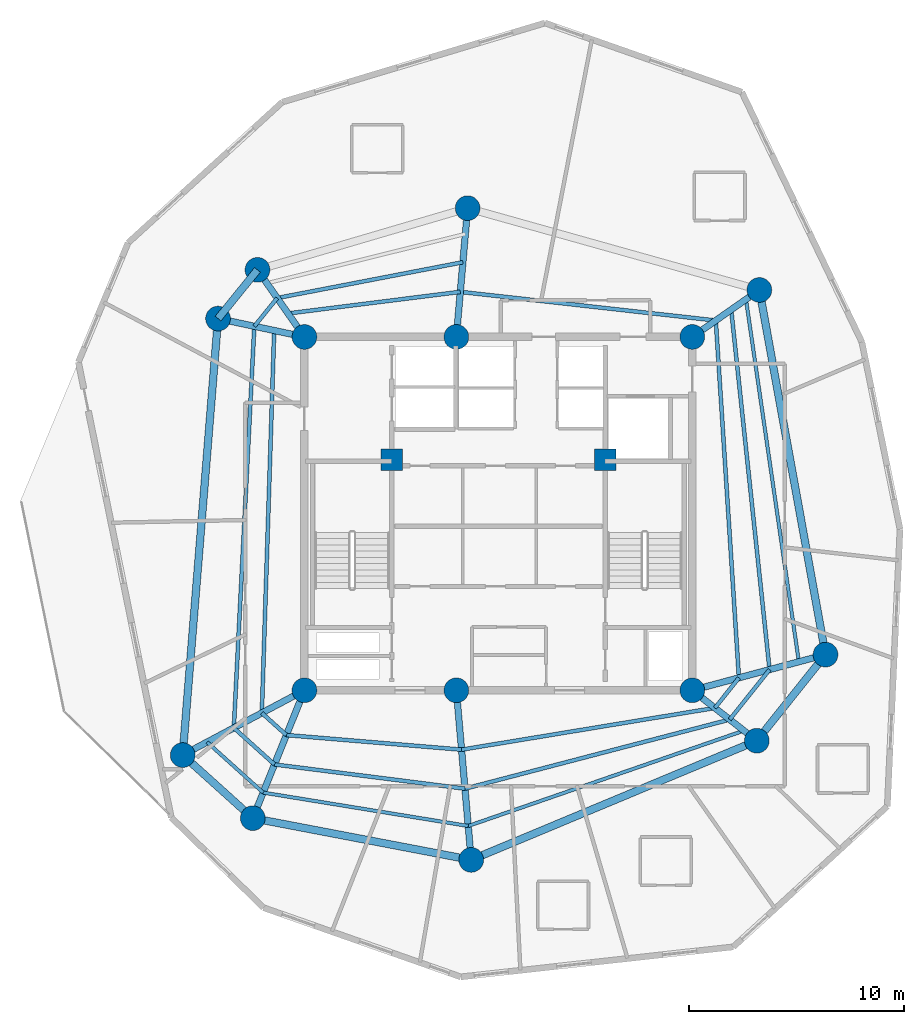
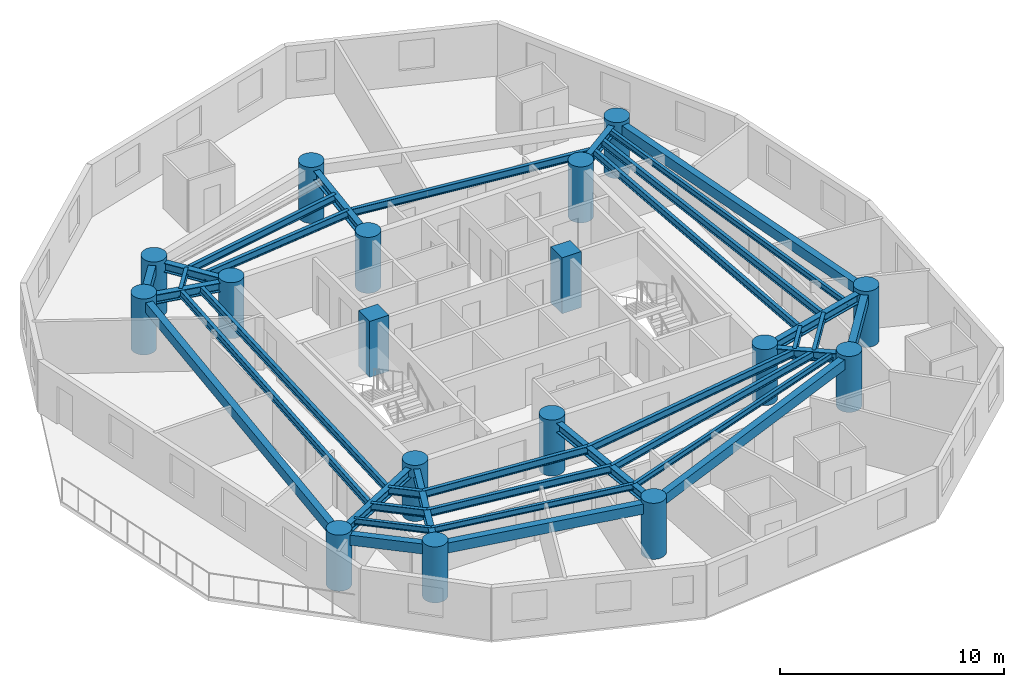
# One storey, part 1 of 8: 36 beams, 17 columns.
"""IFC4 building model written with IfcOpenShell, lengths in metres."""

from ifc_helpers import new_model, si_unit, direction, frame, origin, origin_with_axes, origin_2d, place, context, subcontext, project, spatial, rectangle, circle, i_section, extrude, source, transform, mapped, material, material_profile, profile_set, type_object, element, save


model = new_model("IFC4")

# Units and contexts
model_context = context("Model", 3, precision=1e-05, world=origin(), true_north=direction((0.0, 1.0)))
body_context = subcontext(model_context, "Body", "Model", "MODEL_VIEW")
ifc_project = project(units=[si_unit("LENGTHUNIT", "METRE"), si_unit("AREAUNIT", "SQUARE_METRE"), si_unit("VOLUMEUNIT", "CUBIC_METRE"), si_unit("PLANEANGLEUNIT", "RADIAN"), si_unit("MASSUNIT", "GRAM", prefix="KILO")], contexts=[model_context])

# Site, building, storey
site_placement = place(None, origin())
site = spatial("IfcSite", under=ifc_project, at=site_placement, CompositionType="ELEMENT")
building_placement = place(site_placement, origin())
building = spatial("IfcBuilding", under=site, at=building_placement, Name="Karkom Vertical University and Central Library", CompositionType="ELEMENT")
storey_placement = place(building_placement, frame((0.0, 0.0, 216.89990234375)))
storey = spatial("IfcBuildingStorey", under=building, at=storey_placement, Name="L63", CompositionType="ELEMENT", Elevation=216.89990234375)

# Columns
ifc_material_1 = material(Name="Concrete C50/60", Category="concrete")
ifc_material_profile_1 = material_profile(ifc_material_1, rectangle(XDim=1.0, YDim=1.0, at=origin_2d()), Name="RC-1000x1000")
ifc_profile_set_1 = profile_set([ifc_material_profile_1], Name="Concrete C50/60")
column_type_1 = type_object("IfcColumnType", Name="STR-COL-C-CC2", PredefinedType="COLUMN", material=ifc_profile_set_1)
shared_shape_1 = source(origin_with_axes(), body_context, "Body", "SweptSolid", [
    extrude(rectangle(XDim=1.0, YDim=1.0, at=origin_2d()), origin(), (0.0, 0.0, 1.0), 3.050048828125),
])
for number, where, z_axis, x_axis, name in (
    (1, (23.550048828125, 29.0, 0.0), (0.0, 0.0, 1.0), (1.0, 0.0, 0.0), "Level 63 Core Node Column CC-1"),
    (2, (33.449951171875, 29.0, 0.0), (0.0, 0.0, 1.0), (1.0, 0.0, 0.0), "Level 63 Core Node Column CC-2"),
):
    element("IfcColumn", number, at=place(storey_placement, frame(where, z_axis=z_axis, x_axis=x_axis)), inside=storey, type_object=column_type_1, Name=name, PredefinedType="COLUMN", context=body_context, shape_type="MappedRepresentation", body=[
        mapped(shared_shape_1, transform((0.0, 0.0, 0.0), scale=1.0)),
    ])
ifc_material_2 = material(Name="Concrete C45/55", Category="concrete")
ifc_material_profile_2 = material_profile(ifc_material_2, circle(Radius=0.574951171875, at=origin_2d()), Name="CFT-D1150")
ifc_profile_set_2 = profile_set([ifc_material_profile_2], Name="Concrete C45/55")
column_type_2 = type_object("IfcColumnType", Name="STR-COL-C-SC5", PredefinedType="COLUMN", material=ifc_profile_set_2)
shared_shape_2 = source(origin_with_axes(), body_context, "Body", "SweptSolid", [
    extrude(circle(Radius=0.574951171875, at=origin_2d()), origin(), (0.0, 0.0, 1.0), 3.050048828125),
])
for number, where, z_axis, x_axis, name in (
    (3, (19.5, 18.300048828125, 0.0), (0.0, 0.0, 1.0), (1.0, 0.0, 0.0), "Level 63 Spine Mega-Column SC-1"),
    (4, (26.550048828125, 18.300048828125, 0.0), (0.0, 0.0, 1.0), (1.0, 0.0, 0.0), "Level 63 Spine Mega-Column SC-2"),
    (5, (37.5, 18.300048828125, 0.0), (0.0, 0.0, 1.0), (1.0, 0.0, 0.0), "Level 63 Spine Mega-Column SC-3"),
    (6, (19.5, 34.699951171875, 0.0), (0.0, 0.0, 1.0), (1.0, 0.0, 0.0), "Level 63 Spine Mega-Column SC-4"),
    (7, (26.550048828125, 34.699951171875, 0.0), (0.0, 0.0, 1.0), (1.0, 0.0, 0.0), "Level 63 Spine Mega-Column SC-5"),
    (8, (37.5, 34.699951171875, 0.0), (0.0, 0.0, 1.0), (1.0, 0.0, 0.0), "Level 63 Spine Mega-Column SC-6"),
    (9, (43.681884765625, 19.9560546875, 0.0), (0.0, 0.0, 1.0), (1.0, 0.0, 0.0), "Level 63 Perimeter Mega-Column Z4-PC1"),
    (10, (40.613037109375, 36.8798828125, 0.0), (0.0, 0.0, 1.0), (1.0, 0.0, 0.0), "Level 63 Perimeter Mega-Column Z4-PC2"),
    (11, (27.072998046875, 40.677001953125, 0.0), (0.0, 0.0, 1.0), (1.0, 0.0, 0.0), "Level 63 Perimeter Mega-Column Z4-PC3"),
    (12, (17.320068359375, 37.81298828125, 0.0), (0.0, 0.0, 1.0), (1.0, 0.0, 0.0), "Level 63 Perimeter Mega-Column Z4-PC4"),
    (13, (15.489990234375, 35.552001953125, 0.0), (0.0, 0.0, 1.0), (1.0, 0.0, 0.0), "Level 63 Perimeter Mega-Column Z4-PC5"),
    (14, (13.84912109375, 15.294921875, 0.0), (0.0, 0.0, 1.0), (1.0, 0.0, 0.0), "Level 63 Perimeter Mega-Column Z4-PC6"),
    (15, (17.10302734375, 12.365966796875, 0.0), (0.0, 0.0, 1.0), (1.0, 0.0, 0.0), "Level 63 Perimeter Mega-Column Z4-PC7"),
    (16, (27.239013671875, 10.429931640625, 0.0), (0.0, 0.0, 1.0), (1.0, 0.0, 0.0), "Level 63 Perimeter Mega-Column Z4-PC8"),
    (17, (40.493896484375, 15.9599609375, 0.0), (0.0, 0.0, 1.0), (1.0, 0.0, 0.0), "Level 63 Perimeter Mega-Column Z4-PC9"),
):
    element("IfcColumn", number, at=place(storey_placement, frame(where, z_axis=z_axis, x_axis=x_axis)), inside=storey, type_object=column_type_2, Name=name, PredefinedType="COLUMN", context=body_context, shape_type="MappedRepresentation", body=[
        mapped(shared_shape_2, transform((0.0, 0.0, 0.0), scale=1.0)),
    ])

# Beams
ifc_material_3 = material(Name="Precast concrete C45/55", Category="concrete")
ifc_material_profile_3 = material_profile(ifc_material_3, rectangle(XDim=0.35009765625, YDim=0.550048828125, at=origin_2d()), Name="SPB-350x550")
ifc_profile_set_3 = profile_set([ifc_material_profile_3], Name="Precast concrete C45/55")
beam_type_1 = type_object("IfcBeamType", Name="STR-BM-SP-2", PredefinedType="SPANDREL", material=ifc_profile_set_3)
shared_shape_3 = source(origin_with_axes(), body_context, "Body", "SweptSolid", [
    extrude(rectangle(XDim=0.35009765625, YDim=0.550048828125, at=origin_2d()), origin(), (0.0, 0.0, 1.0), 17.19970703125),
])
beam_1_placement = place(storey_placement, frame((43.681884765625, 19.9560546875, 2.5751953125), z_axis=(-0.178423249727, 0.983953832228, 0.0), x_axis=(-0.983953832228, -0.178423249727, 0.0)))
element("IfcBeam", 18, at=beam_1_placement, inside=storey, type_object=beam_type_1, Name="Level 63 Perimeter Spandrel Beam 01", PredefinedType="SPANDREL", context=body_context, shape_type="MappedRepresentation", body=[
    mapped(shared_shape_3, transform((0.0, 0.0, 0.0), scale=1.0)),
])
shared_shape_4 = source(origin_with_axes(), body_context, "Body", "SweptSolid", [
    extrude(rectangle(XDim=0.35009765625, YDim=0.550048828125, at=origin_2d()), origin(), (0.0, 0.0, 1.0), 2.908935546875),
])
beam_2_placement = place(storey_placement, frame((17.320068359375, 37.81298828125, 2.5751953125), z_axis=(-0.629147523747, -0.777285914811, 0.0), x_axis=(0.777285914811, -0.629147523747, 0.0)))
element("IfcBeam", 19, at=beam_2_placement, inside=storey, type_object=beam_type_1, Name="Level 63 Perimeter Spandrel Beam 04", PredefinedType="SPANDREL", context=body_context, shape_type="MappedRepresentation", body=[
    mapped(shared_shape_4, transform((0.0, 0.0, 0.0), scale=1.0)),
])
shared_shape_5 = source(origin_with_axes(), body_context, "Body", "SweptSolid", [
    extrude(rectangle(XDim=0.35009765625, YDim=0.550048828125, at=origin_2d()), origin(), (0.0, 0.0, 1.0), 20.323486328125),
])
beam_3_placement = place(storey_placement, frame((15.489990234375, 35.552001953125, 2.5751953125), z_axis=(-0.080737811681, -0.996735373991, 0.0), x_axis=(0.996735373991, -0.080737811681, 0.0)))
element("IfcBeam", 20, at=beam_3_placement, inside=storey, type_object=beam_type_1, Name="Level 63 Perimeter Spandrel Beam 05", PredefinedType="SPANDREL", context=body_context, shape_type="MappedRepresentation", body=[
    mapped(shared_shape_5, transform((0.0, 0.0, 0.0), scale=1.0)),
])
shared_shape_6 = source(origin_with_axes(), body_context, "Body", "SweptSolid", [
    extrude(rectangle(XDim=0.35009765625, YDim=0.550048828125, at=origin_2d()), origin(), (0.0, 0.0, 1.0), 4.3779296875),
])
beam_4_placement = place(storey_placement, frame((13.84912109375, 15.294921875, 2.5751953125), z_axis=(0.743244232405, -0.669020187287, 0.0), x_axis=(0.669020187287, 0.743244232405, 0.0)))
element("IfcBeam", 21, at=beam_4_placement, inside=storey, type_object=beam_type_1, Name="Level 63 Perimeter Spandrel Beam 06", PredefinedType="SPANDREL", context=body_context, shape_type="MappedRepresentation", body=[
    mapped(shared_shape_6, transform((0.0, 0.0, 0.0), scale=1.0)),
])
shared_shape_7 = source(origin_with_axes(), body_context, "Body", "SweptSolid", [
    extrude(rectangle(XDim=0.35009765625, YDim=0.550048828125, at=origin_2d()), origin(), (0.0, 0.0, 1.0), 10.3193359375),
])
beam_5_placement = place(storey_placement, frame((17.10302734375, 12.365966796875, 2.5751953125), z_axis=(0.982242767385, -0.187614354249, 0.0), x_axis=(0.187614354249, 0.982242767385, 0.0)))
element("IfcBeam", 22, at=beam_5_placement, inside=storey, type_object=beam_type_1, Name="Level 63 Perimeter Spandrel Beam 07", PredefinedType="SPANDREL", context=body_context, shape_type="MappedRepresentation", body=[
    mapped(shared_shape_7, transform((0.0, 0.0, 0.0), scale=1.0)),
])
shared_shape_8 = source(origin_with_axes(), body_context, "Body", "SweptSolid", [
    extrude(rectangle(XDim=0.35009765625, YDim=0.550048828125, at=origin_2d()), origin(), (0.0, 0.0, 1.0), 14.3623046875),
])
beam_6_placement = place(storey_placement, frame((27.239013671875, 10.429931640625, 2.5751953125), z_axis=(0.922899796194, 0.385040213725, 0.0), x_axis=(-0.385040213725, 0.922899796194, 0.0)))
element("IfcBeam", 23, at=beam_6_placement, inside=storey, type_object=beam_type_1, Name="Level 63 Perimeter Spandrel Beam 08", PredefinedType="SPANDREL", context=body_context, shape_type="MappedRepresentation", body=[
    mapped(shared_shape_8, transform((0.0, 0.0, 0.0), scale=1.0)),
])
shared_shape_9 = source(origin_with_axes(), body_context, "Body", "SweptSolid", [
    extrude(rectangle(XDim=0.35009765625, YDim=0.550048828125, at=origin_2d()), origin(), (0.0, 0.0, 1.0), 5.112060546875),
])
beam_7_placement = place(storey_placement, frame((40.493896484375, 15.9599609375, 2.5751953125), z_axis=(0.623634459503, 0.78171609995, 0.0), x_axis=(-0.78171609995, 0.623634459503, 0.0)))
element("IfcBeam", 24, at=beam_7_placement, inside=storey, type_object=beam_type_1, Name="Level 63 Perimeter Spandrel Beam 09", PredefinedType="SPANDREL", context=body_context, shape_type="MappedRepresentation", body=[
    mapped(shared_shape_9, transform((0.0, 0.0, 0.0), scale=1.0)),
])
ifc_material_4 = material(Name="Steel S355", Category="steel")
ifc_material_profile_4 = material_profile(ifc_material_4, i_section(OverallWidth=0.179931640625, OverallDepth=0.39990234375, WebThickness=0.008544921875, FlangeThickness=0.013427734375, FilletRadius=0.02099609375, at=origin_2d()), Name="IPE 400")
ifc_profile_set_4 = profile_set([ifc_material_profile_4], Name="Steel S355")
beam_type_2 = type_object("IfcBeamType", Name="STR-BM-SB-IPE400", PredefinedType="BEAM", material=ifc_profile_set_4)
shared_shape_10 = source(origin_with_axes(), body_context, "Body", "SweptSolid", [
    extrude(i_section(OverallWidth=0.179931640625, OverallDepth=0.39990234375, WebThickness=0.008544921875, FlangeThickness=0.013427734375, FilletRadius=0.02099609375, at=origin_2d()), origin(), (0.0, 0.0, 1.0), 16.617919921875),
])
beam_8_placement = place(storey_placement, frame((39.663818359375, 18.879638671875, 2.650146484375), z_axis=(-0.064641848008, 0.997908528617, 0.0), x_axis=(-0.997908528617, -0.064641848008, 0.0)))
element("IfcBeam", 25, at=beam_8_placement, inside=storey, type_object=beam_type_2, Name="Level 63 Secondary Composite Floor Beam 1.01", PredefinedType="BEAM", context=body_context, shape_type="MappedRepresentation", body=[
    mapped(shared_shape_10, transform((0.0, 0.0, 0.0), scale=1.0)),
])
shared_shape_11 = source(origin_with_axes(), body_context, "Body", "SweptSolid", [
    extrude(i_section(OverallWidth=0.179931640625, OverallDepth=0.39990234375, WebThickness=0.008544921875, FlangeThickness=0.013427734375, FilletRadius=0.02099609375, at=origin_2d()), origin(), (0.0, 0.0, 1.0), 11.9306640625),
])
beam_9_placement = place(storey_placement, frame((38.589599609375, 35.462890625, 2.650146484375), z_axis=(-0.993775454886, 0.11140172919, 0.0), x_axis=(-0.11140172919, -0.993775454886, 0.0)))
element("IfcBeam", 26, at=beam_9_placement, inside=storey, type_object=beam_type_2, Name="Level 63 Secondary Composite Floor Beam 1.02", PredefinedType="BEAM", context=body_context, shape_type="MappedRepresentation", body=[
    mapped(shared_shape_11, transform((0.0, 0.0, 0.0), scale=1.0)),
])
shared_shape_12 = source(origin_with_axes(), body_context, "Body", "SweptSolid", [
    extrude(i_section(OverallWidth=0.179931640625, OverallDepth=0.39990234375, WebThickness=0.008544921875, FlangeThickness=0.013427734375, FilletRadius=0.02099609375, at=origin_2d()), origin(), (0.0, 0.0, 1.0), 8.05859375),
])
beam_10_placement = place(storey_placement, frame((26.733154296875, 36.7919921875, 2.650146484375), z_axis=(-0.99223306826, -0.124392677646, 0.0), x_axis=(0.124392677646, -0.99223306826, 0.0)))
element("IfcBeam", 27, at=beam_10_placement, inside=storey, type_object=beam_type_2, Name="Level 63 Secondary Composite Floor Beam 1.03", PredefinedType="BEAM", context=body_context, shape_type="MappedRepresentation", body=[
    mapped(shared_shape_12, transform((0.0, 0.0, 0.0), scale=1.0)),
])
shared_shape_13 = source(origin_with_axes(), body_context, "Body", "SweptSolid", [
    extrude(i_section(OverallWidth=0.179931640625, OverallDepth=0.39990234375, WebThickness=0.008544921875, FlangeThickness=0.013427734375, FilletRadius=0.02099609375, at=origin_2d()), origin(), (0.0, 0.0, 1.0), 17.75927734375),
])
beam_11_placement = place(storey_placement, frame((18.096435546875, 34.998291015625, 2.650146484375), z_axis=(-0.032333437334, -0.999477137723, 0.0), x_axis=(0.999477137723, -0.032333437334, 0.0)))
element("IfcBeam", 28, at=beam_11_placement, inside=storey, type_object=beam_type_2, Name="Level 63 Secondary Composite Floor Beam 1.05", PredefinedType="BEAM", context=body_context, shape_type="MappedRepresentation", body=[
    mapped(shared_shape_13, transform((0.0, 0.0, 0.0), scale=1.0)),
])
shared_shape_14 = source(origin_with_axes(), body_context, "Body", "SweptSolid", [
    extrude(i_section(OverallWidth=0.179931640625, OverallDepth=0.39990234375, WebThickness=0.008544921875, FlangeThickness=0.013427734375, FilletRadius=0.02099609375, at=origin_2d()), origin(), (0.0, 0.0, 1.0), 1.5322265625),
])
beam_12_placement = place(storey_placement, frame((17.522216796875, 17.248291015625, 2.650146484375), z_axis=(0.743183211059, -0.669087972392, 0.0), x_axis=(0.669087972392, 0.743183211059, 0.0)))
element("IfcBeam", 29, at=beam_12_placement, inside=storey, type_object=beam_type_2, Name="Level 63 Secondary Composite Floor Beam 1.06", PredefinedType="BEAM", context=body_context, shape_type="MappedRepresentation", body=[
    mapped(shared_shape_14, transform((0.0, 0.0, 0.0), scale=1.0)),
])
shared_shape_15 = source(origin_with_axes(), body_context, "Body", "SweptSolid", [
    extrude(i_section(OverallWidth=0.179931640625, OverallDepth=0.39990234375, WebThickness=0.008544921875, FlangeThickness=0.013427734375, FilletRadius=0.02099609375, at=origin_2d()), origin(), (0.0, 0.0, 1.0), 8.15869140625),
])
beam_13_placement = place(storey_placement, frame((18.660888671875, 16.22314453125, 2.650146484375), z_axis=(0.996543694183, -0.083070244882, 0.0), x_axis=(0.083070244882, 0.996543694183, 0.0)))
element("IfcBeam", 30, at=beam_13_placement, inside=storey, type_object=beam_type_2, Name="Level 63 Secondary Composite Floor Beam 1.07", PredefinedType="BEAM", context=body_context, shape_type="MappedRepresentation", body=[
    mapped(shared_shape_15, transform((0.0, 0.0, 0.0), scale=1.0)),
])
shared_shape_16 = source(origin_with_axes(), body_context, "Body", "SweptSolid", [
    extrude(i_section(OverallWidth=0.179931640625, OverallDepth=0.39990234375, WebThickness=0.008544921875, FlangeThickness=0.013427734375, FilletRadius=0.02099609375, at=origin_2d()), origin(), (0.0, 0.0, 1.0), 11.914794921875),
])
beam_14_placement = place(storey_placement, frame((26.791259765625, 15.54541015625, 2.650146484375), z_axis=(0.986717073469, 0.162448197663, 0.0), x_axis=(-0.162448197663, 0.986717073469, 0.0)))
element("IfcBeam", 31, at=beam_14_placement, inside=storey, type_object=beam_type_2, Name="Level 63 Secondary Composite Floor Beam 1.08", PredefinedType="BEAM", context=body_context, shape_type="MappedRepresentation", body=[
    mapped(shared_shape_16, transform((0.0, 0.0, 0.0), scale=1.0)),
])
shared_shape_17 = source(origin_with_axes(), body_context, "Body", "SweptSolid", [
    extrude(i_section(OverallWidth=0.179931640625, OverallDepth=0.39990234375, WebThickness=0.008544921875, FlangeThickness=0.013427734375, FilletRadius=0.02099609375, at=origin_2d()), origin(), (0.0, 0.0, 1.0), 1.789306640625),
])
beam_15_placement = place(storey_placement, frame((38.5478515625, 17.48095703125, 2.650146484375), z_axis=(0.623679519349, 0.781680150154, 0.0), x_axis=(-0.781680150154, 0.623679519349, 0.0)))
element("IfcBeam", 32, at=beam_15_placement, inside=storey, type_object=beam_type_2, Name="Level 63 Secondary Composite Floor Beam 1.09", PredefinedType="BEAM", context=body_context, shape_type="MappedRepresentation", body=[
    mapped(shared_shape_17, transform((0.0, 0.0, 0.0), scale=1.0)),
])
shared_shape_18 = source(origin_with_axes(), body_context, "Body", "SweptSolid", [
    extrude(i_section(OverallWidth=0.179931640625, OverallDepth=0.39990234375, WebThickness=0.008544921875, FlangeThickness=0.013427734375, FilletRadius=0.02099609375, at=origin_2d()), origin(), (0.0, 0.0, 1.0), 16.79833984375),
])
beam_16_placement = place(storey_placement, frame((41.085693359375, 19.260498046875, 2.650146484375), z_axis=(-0.105978377704, 0.994368434464, 0.0), x_axis=(-0.994368434464, -0.105978377704, 0.0)))
element("IfcBeam", 33, at=beam_16_placement, inside=storey, type_object=beam_type_2, Name="Level 63 Secondary Composite Floor Beam 2.01", PredefinedType="BEAM", context=body_context, shape_type="MappedRepresentation", body=[
    mapped(shared_shape_18, transform((0.0, 0.0, 0.0), scale=1.0)),
])
shared_shape_19 = source(origin_with_axes(), body_context, "Body", "SweptSolid", [
    extrude(i_section(OverallWidth=0.179931640625, OverallDepth=0.39990234375, WebThickness=0.008544921875, FlangeThickness=0.013427734375, FilletRadius=0.02099609375, at=origin_2d()), origin(), (0.0, 0.0, 1.0), 8.7763671875),
])
beam_17_placement = place(storey_placement, frame((26.853271484375, 38.166748046875, 2.650146484375), z_axis=(-0.981924209256, -0.189274528862, 0.0), x_axis=(0.189274528862, -0.981924209256, 0.0)))
element("IfcBeam", 34, at=beam_17_placement, inside=storey, type_object=beam_type_2, Name="Level 63 Secondary Composite Floor Beam 2.03", PredefinedType="BEAM", context=body_context, shape_type="MappedRepresentation", body=[
    mapped(shared_shape_19, transform((0.0, 0.0, 0.0), scale=1.0)),
])
shared_shape_20 = source(origin_with_axes(), body_context, "Body", "SweptSolid", [
    extrude(i_section(OverallWidth=0.179931640625, OverallDepth=0.39990234375, WebThickness=0.008544921875, FlangeThickness=0.013427734375, FilletRadius=0.02099609375, at=origin_2d()), origin(), (0.0, 0.0, 1.0), 1.68701171875),
])
beam_18_placement = place(storey_placement, frame((18.235595703125, 36.505615234375, 2.650146484375), z_axis=(-0.629044191861, -0.777369541908, 0.0), x_axis=(0.777369541908, -0.629044191861, 0.0)))
element("IfcBeam", 35, at=beam_18_placement, inside=storey, type_object=beam_type_2, Name="Level 63 Secondary Composite Floor Beam 2.04", PredefinedType="BEAM", context=body_context, shape_type="MappedRepresentation", body=[
    mapped(shared_shape_20, transform((0.0, 0.0, 0.0), scale=1.0)),
])
shared_shape_21 = source(origin_with_axes(), body_context, "Body", "SweptSolid", [
    extrude(i_section(OverallWidth=0.179931640625, OverallDepth=0.39990234375, WebThickness=0.008544921875, FlangeThickness=0.013427734375, FilletRadius=0.02099609375, at=origin_2d()), origin(), (0.0, 0.0, 1.0), 18.661376953125),
])
beam_19_placement = place(storey_placement, frame((17.17431640625, 35.194091796875, 2.650146484375), z_axis=(-0.051009656211, -0.998698160093, 0.0), x_axis=(0.998698160093, -0.051009656211, 0.0)))
element("IfcBeam", 36, at=beam_19_placement, inside=storey, type_object=beam_type_2, Name="Level 63 Secondary Composite Floor Beam 2.05", PredefinedType="BEAM", context=body_context, shape_type="MappedRepresentation", body=[
    mapped(shared_shape_21, transform((0.0, 0.0, 0.0), scale=1.0)),
])
shared_shape_22 = source(origin_with_axes(), body_context, "Body", "SweptSolid", [
    extrude(i_section(OverallWidth=0.179931640625, OverallDepth=0.39990234375, WebThickness=0.008544921875, FlangeThickness=0.013427734375, FilletRadius=0.02099609375, at=origin_2d()), origin(), (0.0, 0.0, 1.0), 2.5390625),
])
beam_20_placement = place(storey_placement, frame((16.222412109375, 16.55712890625, 2.650146484375), z_axis=(0.743246334517, -0.669017851949, 0.0), x_axis=(0.669017851949, 0.743246334517, 0.0)))
element("IfcBeam", 37, at=beam_20_placement, inside=storey, type_object=beam_type_2, Name="Level 63 Secondary Composite Floor Beam 2.06", PredefinedType="BEAM", context=body_context, shape_type="MappedRepresentation", body=[
    mapped(shared_shape_22, transform((0.0, 0.0, 0.0), scale=1.0)),
])
shared_shape_23 = source(origin_with_axes(), body_context, "Body", "SweptSolid", [
    extrude(i_section(OverallWidth=0.179931640625, OverallDepth=0.39990234375, WebThickness=0.008544921875, FlangeThickness=0.013427734375, FilletRadius=0.02099609375, at=origin_2d()), origin(), (0.0, 0.0, 1.0), 8.9111328125),
])
beam_21_placement = place(storey_placement, frame((18.109619140625, 14.8583984375, 2.650146484375), z_axis=(0.992026771403, -0.126027317751, 0.0), x_axis=(0.126027317751, 0.992026771403, 0.0)))
element("IfcBeam", 38, at=beam_21_placement, inside=storey, type_object=beam_type_2, Name="Level 63 Secondary Composite Floor Beam 2.07", PredefinedType="BEAM", context=body_context, shape_type="MappedRepresentation", body=[
    mapped(shared_shape_23, transform((0.0, 0.0, 0.0), scale=1.0)),
])
shared_shape_24 = source(origin_with_axes(), body_context, "Body", "SweptSolid", [
    extrude(i_section(OverallWidth=0.179931640625, OverallDepth=0.39990234375, WebThickness=0.008544921875, FlangeThickness=0.013427734375, FilletRadius=0.02099609375, at=origin_2d()), origin(), (0.0, 0.0, 1.0), 12.69873046875),
])
beam_22_placement = place(storey_placement, frame((26.94970703125, 13.7353515625, 2.650146484375), z_axis=(0.967573974729, 0.252587813301, 0.0), x_axis=(-0.252587813301, 0.967573974729, 0.0)))
element("IfcBeam", 39, at=beam_22_placement, inside=storey, type_object=beam_type_2, Name="Level 63 Secondary Composite Floor Beam 2.08", PredefinedType="BEAM", context=body_context, shape_type="MappedRepresentation", body=[
    mapped(shared_shape_24, transform((0.0, 0.0, 0.0), scale=1.0)),
])
shared_shape_25 = source(origin_with_axes(), body_context, "Body", "SweptSolid", [
    extrude(i_section(OverallWidth=0.179931640625, OverallDepth=0.39990234375, WebThickness=0.008544921875, FlangeThickness=0.013427734375, FilletRadius=0.02099609375, at=origin_2d()), origin(), (0.0, 0.0, 1.0), 2.96484375),
])
beam_23_placement = place(storey_placement, frame((39.236572265625, 16.94287109375, 2.650146484375), z_axis=(0.623670236397, 0.781687556657, 0.0), x_axis=(-0.781687556657, 0.623670236397, 0.0)))
element("IfcBeam", 40, at=beam_23_placement, inside=storey, type_object=beam_type_2, Name="Level 63 Secondary Composite Floor Beam 2.09", PredefinedType="BEAM", context=body_context, shape_type="MappedRepresentation", body=[
    mapped(shared_shape_25, transform((0.0, 0.0, 0.0), scale=1.0)),
])
ifc_material_profile_5 = material_profile(ifc_material_4, i_section(OverallWidth=0.159912109375, OverallDepth=0.330078125, WebThickness=0.007568359375, FlangeThickness=0.011474609375, FilletRadius=0.01806640625, at=origin_2d()), Name="IPE 330")
ifc_profile_set_5 = profile_set([ifc_material_profile_5], Name="Steel S355")
beam_type_3 = type_object("IfcBeamType", Name="STR-BM-SB-IPE330", PredefinedType="BEAM", material=ifc_profile_set_5)
shared_shape_26 = source(origin_with_axes(), body_context, "Body", "SweptSolid", [
    extrude(i_section(OverallWidth=0.159912109375, OverallDepth=0.330078125, WebThickness=0.007568359375, FlangeThickness=0.011474609375, FilletRadius=0.01806640625, at=origin_2d()), origin(), (0.0, 0.0, 1.0), 16.99755859375),
])
beam_24_placement = place(storey_placement, frame((42.445556640625, 19.624755859375, 2.68505859375), z_axis=(-0.144436985275, 0.98951400055, 0.0), x_axis=(-0.98951400055, -0.144436985275, 0.0)))
element("IfcBeam", 41, at=beam_24_placement, inside=storey, type_object=beam_type_3, Name="Level 63 Secondary Composite Floor Beam 3.01", PredefinedType="BEAM", context=body_context, shape_type="MappedRepresentation", body=[
    mapped(shared_shape_26, transform((0.0, 0.0, 0.0), scale=1.0)),
])
shared_shape_27 = source(origin_with_axes(), body_context, "Body", "SweptSolid", [
    extrude(i_section(OverallWidth=0.159912109375, OverallDepth=0.330078125, WebThickness=0.007568359375, FlangeThickness=0.011474609375, FilletRadius=0.01806640625, at=origin_2d()), origin(), (0.0, 0.0, 1.0), 3.50244140625),
])
beam_25_placement = place(storey_placement, frame((14.979248046875, 15.89599609375, 2.68505859375), z_axis=(0.743249087562, -0.669014793437, 0.0), x_axis=(0.669014793437, 0.743249087562, 0.0)))
element("IfcBeam", 42, at=beam_25_placement, inside=storey, type_object=beam_type_3, Name="Level 63 Secondary Composite Floor Beam 3.06", PredefinedType="BEAM", context=body_context, shape_type="MappedRepresentation", body=[
    mapped(shared_shape_27, transform((0.0, 0.0, 0.0), scale=1.0)),
])
shared_shape_28 = source(origin_with_axes(), body_context, "Body", "SweptSolid", [
    extrude(i_section(OverallWidth=0.159912109375, OverallDepth=0.330078125, WebThickness=0.007568359375, FlangeThickness=0.011474609375, FilletRadius=0.01806640625, at=origin_2d()), origin(), (0.0, 0.0, 1.0), 9.64404296875),
])
beam_26_placement = place(storey_placement, frame((17.58251953125, 13.552734375, 2.68505859375), z_axis=(0.987019497924, -0.160600469231, 0.0), x_axis=(0.160600469231, 0.987019497924, 0.0)))
element("IfcBeam", 43, at=beam_26_placement, inside=storey, type_object=beam_type_3, Name="Level 63 Secondary Composite Floor Beam 3.07", PredefinedType="BEAM", context=body_context, shape_type="MappedRepresentation", body=[
    mapped(shared_shape_28, transform((0.0, 0.0, 0.0), scale=1.0)),
])
shared_shape_29 = source(origin_with_axes(), body_context, "Body", "SweptSolid", [
    extrude(i_section(OverallWidth=0.159912109375, OverallDepth=0.330078125, WebThickness=0.007568359375, FlangeThickness=0.011474609375, FilletRadius=0.01806640625, at=origin_2d()), origin(), (0.0, 0.0, 1.0), 13.537353515625),
])
beam_27_placement = place(storey_placement, frame((27.101318359375, 12.00390625, 2.68505859375), z_axis=(0.945091088216, 0.32680703018, 0.0), x_axis=(-0.32680703018, 0.945091088216, 0.0)))
element("IfcBeam", 44, at=beam_27_placement, inside=storey, type_object=beam_type_3, Name="Level 63 Secondary Composite Floor Beam 3.08", PredefinedType="BEAM", context=body_context, shape_type="MappedRepresentation", body=[
    mapped(shared_shape_29, transform((0.0, 0.0, 0.0), scale=1.0)),
])
ifc_material_profile_6 = material_profile(ifc_material_4, i_section(OverallWidth=0.300048828125, OverallDepth=0.5, WebThickness=0.014404296875, FlangeThickness=0.028076171875, FilletRadius=0.027099609375, at=origin_2d()), Name="HE 500 B")
ifc_profile_set_6 = profile_set([ifc_material_profile_6], Name="Steel S355")
beam_type_4 = type_object("IfcBeamType", Name="STR-BM-SB-HE500", PredefinedType="USERDEFINED", material=ifc_profile_set_6)
shared_shape_30 = source(origin_with_axes(), body_context, "Body", "SweptSolid", [
    extrude(i_section(OverallWidth=0.300048828125, OverallDepth=0.5, WebThickness=0.014404296875, FlangeThickness=0.028076171875, FilletRadius=0.027099609375, at=origin_2d()), origin(), (0.0, 0.0, 1.0), 6.39990234375),
])
for number, where, z_axis, x_axis, name in (
    (45, (37.5, 18.300048828125, 2.60009765625), (0.965942432948, 0.258757060254, 0.0), (-0.258757060254, 0.965942432948, 0.0), "Level 63 Radial Frame Girder 01"),
    (46, (19.5, 18.300048828125, 2.60009765625), (-0.374532429749, -0.927213815183, 0.0), (0.927213815183, -0.374532429749, 0.0), "Level 63 Radial Frame Girder 07"),
):
    element("IfcBeam", number, at=place(storey_placement, frame(where, z_axis=z_axis, x_axis=x_axis)), inside=storey, type_object=beam_type_4, Name=name, ObjectType="GIRDER", PredefinedType="USERDEFINED", context=body_context, shape_type="MappedRepresentation", body=[
        mapped(shared_shape_30, transform((0.0, 0.0, 0.0), scale=1.0)),
    ])
shared_shape_31 = source(origin_with_axes(), body_context, "Body", "SweptSolid", [
    extrude(i_section(OverallWidth=0.300048828125, OverallDepth=0.5, WebThickness=0.014404296875, FlangeThickness=0.028076171875, FilletRadius=0.027099609375, at=origin_2d()), origin(), (0.0, 0.0, 1.0), 3.80029296875),
])
for number, where, z_axis, x_axis, name in (
    (47, (37.5, 34.699951171875, 2.60009765625), (0.819132313625, 0.573604613627, 0.0), (-0.573604613627, 0.819132313625, 0.0), "Level 63 Radial Frame Girder 02"),
    (48, (19.5, 34.699951171875, 2.60009765625), (-0.573604613627, 0.819132313625, 0.0), (-0.819132313625, -0.573604613627, 0.0), "Level 63 Radial Frame Girder 04"),
):
    element("IfcBeam", number, at=place(storey_placement, frame(where, z_axis=z_axis, x_axis=x_axis)), inside=storey, type_object=beam_type_4, Name=name, ObjectType="GIRDER", PredefinedType="USERDEFINED", context=body_context, shape_type="MappedRepresentation", body=[
        mapped(shared_shape_31, transform((0.0, 0.0, 0.0), scale=1.0)),
    ])
shared_shape_32 = source(origin_with_axes(), body_context, "Body", "SweptSolid", [
    extrude(i_section(OverallWidth=0.300048828125, OverallDepth=0.5, WebThickness=0.014404296875, FlangeThickness=0.028076171875, FilletRadius=0.027099609375, at=origin_2d()), origin(), (0.0, 0.0, 1.0), 6.0),
])
beam_28_placement = place(storey_placement, frame((26.550048828125, 34.699951171875, 2.60009765625), z_axis=(0.087159883478, 0.996194335816, 0.0), x_axis=(-0.996194335816, 0.087159883478, 0.0)))
element("IfcBeam", 49, at=beam_28_placement, inside=storey, type_object=beam_type_4, Name="Level 63 Radial Frame Girder 03", ObjectType="GIRDER", PredefinedType="USERDEFINED", context=body_context, shape_type="MappedRepresentation", body=[
    mapped(shared_shape_32, transform((0.0, 0.0, 0.0), scale=1.0)),
])
shared_shape_33 = source(origin_with_axes(), body_context, "Body", "SweptSolid", [
    extrude(i_section(OverallWidth=0.300048828125, OverallDepth=0.5, WebThickness=0.014404296875, FlangeThickness=0.028076171875, FilletRadius=0.027099609375, at=origin_2d()), origin(), (0.0, 0.0, 1.0), 4.099609375),
])
beam_29_placement = place(storey_placement, frame((19.5, 34.699951171875, 2.60009765625), z_axis=(-0.978162634602, 0.207840949453, 0.0), x_axis=(-0.207840949453, -0.978162634602, 0.0)))
element("IfcBeam", 50, at=beam_29_placement, inside=storey, type_object=beam_type_4, Name="Level 63 Radial Frame Girder 05", ObjectType="GIRDER", PredefinedType="USERDEFINED", context=body_context, shape_type="MappedRepresentation", body=[
    mapped(shared_shape_33, transform((0.0, 0.0, 0.0), scale=1.0)),
])
shared_shape_34 = source(origin_with_axes(), body_context, "Body", "SweptSolid", [
    extrude(i_section(OverallWidth=0.300048828125, OverallDepth=0.5, WebThickness=0.014404296875, FlangeThickness=0.028076171875, FilletRadius=0.027099609375, at=origin_2d()), origin(), (0.0, 0.0, 1.0), 6.400146484375),
])
beam_30_placement = place(storey_placement, frame((19.5, 18.300048828125, 2.60009765625), z_axis=(-0.882915120857, -0.469532628645, 0.0), x_axis=(0.469532628645, -0.882915120857, 0.0)))
element("IfcBeam", 51, at=beam_30_placement, inside=storey, type_object=beam_type_4, Name="Level 63 Radial Frame Girder 06", ObjectType="GIRDER", PredefinedType="USERDEFINED", context=body_context, shape_type="MappedRepresentation", body=[
    mapped(shared_shape_34, transform((0.0, 0.0, 0.0), scale=1.0)),
])
shared_shape_35 = source(origin_with_axes(), body_context, "Body", "SweptSolid", [
    extrude(i_section(OverallWidth=0.300048828125, OverallDepth=0.5, WebThickness=0.014404296875, FlangeThickness=0.028076171875, FilletRadius=0.027099609375, at=origin_2d()), origin(), (0.0, 0.0, 1.0), 7.900146484375),
])
beam_31_placement = place(storey_placement, frame((26.550048828125, 18.300048828125, 2.60009765625), z_axis=(0.087208352312, -0.996190093951, 0.0), x_axis=(0.996190093951, 0.087208352312, 0.0)))
element("IfcBeam", 52, at=beam_31_placement, inside=storey, type_object=beam_type_4, Name="Level 63 Radial Frame Girder 08", ObjectType="GIRDER", PredefinedType="USERDEFINED", context=body_context, shape_type="MappedRepresentation", body=[
    mapped(shared_shape_35, transform((0.0, 0.0, 0.0), scale=1.0)),
])
shared_shape_36 = source(origin_with_axes(), body_context, "Body", "SweptSolid", [
    extrude(i_section(OverallWidth=0.300048828125, OverallDepth=0.5, WebThickness=0.014404296875, FlangeThickness=0.028076171875, FilletRadius=0.027099609375, at=origin_2d()), origin(), (0.0, 0.0, 1.0), 3.7998046875),
])
beam_32_placement = place(storey_placement, frame((37.5, 18.300048828125, 2.60009765625), z_axis=(0.787883114707, -0.61582481077, 0.0), x_axis=(0.61582481077, 0.787883114707, 0.0)))
element("IfcBeam", 53, at=beam_32_placement, inside=storey, type_object=beam_type_4, Name="Level 63 Radial Frame Girder 09", ObjectType="GIRDER", PredefinedType="USERDEFINED", context=body_context, shape_type="MappedRepresentation", body=[
    mapped(shared_shape_36, transform((0.0, 0.0, 0.0), scale=1.0)),
])

save(model, "model.ifc")
